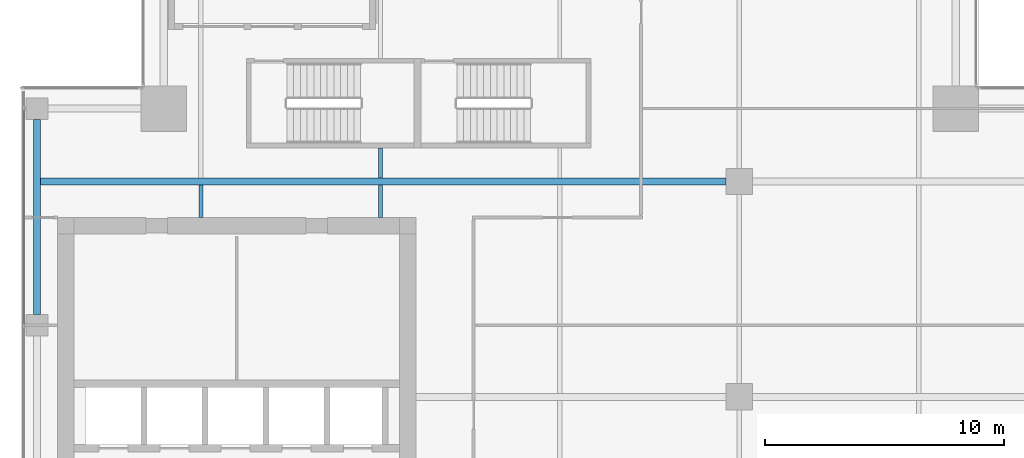
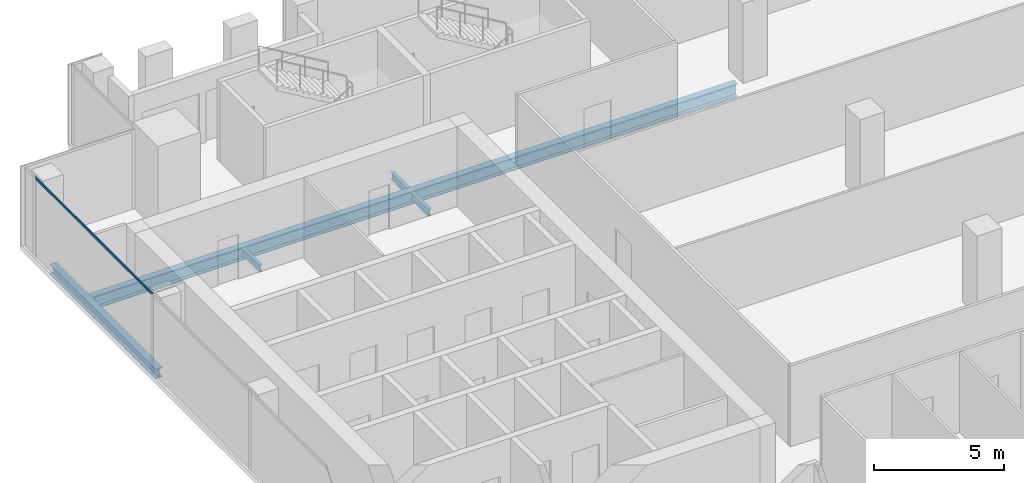
# One storey, part 14 of 34: 5 beams, 1 member, 1 element without a shape of its own.
"""IFC4 building model written with IfcOpenShell, lengths in metres."""

from ifc_helpers import new_model, si_unit, direction, frame, origin, origin_2d, place, context, subcontext, project, spatial, hollow_rectangle, i_section, extrude, source, transform, mapped, material, material_profile, profile_set, type_object, element, aggregate, save


model = new_model("IFC4")

# Units and contexts
model_context = context("Model", 3, precision=1e-05, world=origin(), true_north=direction((0.0, 1.0)))
body_context = subcontext(model_context, "Body", "Model", "MODEL_VIEW")
ifc_project = project(units=[si_unit("LENGTHUNIT", "METRE"), si_unit("AREAUNIT", "SQUARE_METRE"), si_unit("VOLUMEUNIT", "CUBIC_METRE"), si_unit("PLANEANGLEUNIT", "RADIAN"), si_unit("MASSUNIT", "GRAM", prefix="KILO")], contexts=[model_context])

# Site, building, storey
site_placement = place(None, origin())
site = spatial("IfcSite", under=ifc_project, at=site_placement, CompositionType="ELEMENT")
building_placement = place(site_placement, origin())
building = spatial("IfcBuilding", under=site, at=building_placement, Name="Khomas Fold Tower", CompositionType="ELEMENT")
storey_placement = place(building_placement, frame((0.0, 0.0, 254.199951171875)))
storey = spatial("IfcBuildingStorey", under=building, at=storey_placement, Name="L57", CompositionType="ELEMENT", Elevation=254.199951171875)

# Beams
ifc_material_1 = material(Name="Steel S355", Category="steel")
ifc_material_profile_1 = material_profile(ifc_material_1, i_section(OverallWidth=0.159912109375, OverallDepth=0.330078125, WebThickness=0.007568359375, FlangeThickness=0.011474609375, at=origin_2d()), Name="IPE 330")
ifc_profile_set_1 = profile_set([ifc_material_profile_1], Name="Steel S355")
beam_type_1 = type_object("IfcBeamType", Name="IPE 330 beam JB1", PredefinedType="BEAM", material=ifc_profile_set_1)
shared_shape_1 = source(origin(), body_context, "Body", "SweptSolid", [
    extrude(i_section(OverallWidth=0.159912109375, OverallDepth=0.330078125, WebThickness=0.007568359375, FlangeThickness=0.011474609375, at=origin_2d()), origin(), (0.0, 0.0, 1.0), 1.25),
])
beam_1_placement = place(storey_placement, frame((19.5, 40.64990234375, -0.4150390625), z_axis=(0.0, 1.0, 0.0), x_axis=(-1.0, 0.0, 0.0)))
element("IfcBeam", 1, at=beam_1_placement, inside=storey, type_object=beam_type_1, Name="JB1", PredefinedType="BEAM", context=body_context, shape_type="MappedRepresentation", body=[
    mapped(shared_shape_1, transform((0.0, 0.0, 0.0))),
])
shared_shape_2 = source(origin(), body_context, "Body", "SweptSolid", [
    extrude(i_section(OverallWidth=0.159912109375, OverallDepth=0.330078125, WebThickness=0.007568359375, FlangeThickness=0.011474609375, at=origin_2d()), origin(), (0.0, 0.0, 1.0), 1.35009765625),
])
for number, where, z_axis, x_axis, name in (
    (2, (12.0, 39.0, -0.4150390625), (0.0, 1.0, 0.0), (-1.0, 0.0, 0.0), "JB1"),
    (3, (19.5, 39.0, -0.4150390625), (0.0, 1.0, 0.0), (-1.0, 0.0, 0.0), "JB1"),
):
    element("IfcBeam", number, at=place(storey_placement, frame(where, z_axis=z_axis, x_axis=x_axis)), inside=storey, type_object=beam_type_1, Name=name, PredefinedType="BEAM", context=body_context, shape_type="MappedRepresentation", body=[
        mapped(shared_shape_2, transform((0.0, 0.0, 0.0))),
    ])
ifc_material_2 = material(Name="Steel S355", Category="steel")
ifc_material_profile_2 = material_profile(ifc_material_2, i_section(OverallWidth=0.300048828125, OverallDepth=0.449951171875, WebThickness=0.013916015625, FlangeThickness=0.02587890625, at=origin_2d()), Name="HE 450 B")
ifc_profile_set_2 = profile_set([ifc_material_profile_2], Name="Steel S355")
beam_type_2 = type_object("IfcBeamType", Name="HE 450 B spandrel SB4", PredefinedType="SPANDREL", material=ifc_profile_set_2)
shared_shape_3 = source(origin(), body_context, "Body", "SweptSolid", [
    extrude(i_section(OverallWidth=0.300048828125, OverallDepth=0.449951171875, WebThickness=0.013916015625, FlangeThickness=0.02587890625, at=origin_2d()), origin(), (0.0, 0.0, 1.0), 8.150146484375),
])
beam_2_placement = place(storey_placement, frame((5.14990234375, 34.949951171875, -0.474853515625), z_axis=(0.0, 1.0, 0.0), x_axis=(-1.0, 0.0, 0.0)))
element("IfcBeam", 4, at=beam_2_placement, inside=storey, type_object=beam_type_2, Name="SB4", PredefinedType="SPANDREL", context=body_context, shape_type="MappedRepresentation", body=[
    mapped(shared_shape_3, transform((0.0, 0.0, 0.0))),
])
ifc_material_3 = material(Name="Steel S355", Category="steel")
ifc_material_profile_3 = material_profile(ifc_material_3, i_section(OverallWidth=0.300048828125, OverallDepth=0.60009765625, WebThickness=0.015380859375, FlangeThickness=0.030029296875, at=origin_2d()), Name="HE 600 B")
ifc_profile_set_3 = profile_set([ifc_material_profile_3], Name="Steel S355")
beam_type_3 = type_object("IfcBeamType", Name="HE 600 B beam GB5", PredefinedType="BEAM", material=ifc_profile_set_3)
shared_shape_4 = source(origin(), body_context, "Body", "SweptSolid", [
    extrude(i_section(OverallWidth=0.300048828125, OverallDepth=0.60009765625, WebThickness=0.015380859375, FlangeThickness=0.030029296875, at=origin_2d()), origin(), (0.0, 0.0, 1.0), 28.64990234375),
])
beam_3_placement = place(storey_placement, frame((5.300048828125, 40.5, -0.550048828125), z_axis=(1.0, 0.0, 0.0), x_axis=(0.0, 1.0, 0.0)))
element("IfcBeam", 5, at=beam_3_placement, inside=storey, type_object=beam_type_3, Name="GB5", PredefinedType="BEAM", context=body_context, shape_type="MappedRepresentation", body=[
    mapped(shared_shape_4, transform((0.0, 0.0, 0.0))),
])

# Curtain wall, member
ifc_material_4 = material(Name="Aluminium framed double glazing", Category="aluminium")
curtain_wall_type = type_object("IfcCurtainWallType", Name="SK-Unitised clear-glass wall, office floors CW2", PredefinedType="NOTDEFINED", material=ifc_material_4)
curtain_wall_placement = place(storey_placement, origin())
curtain_wall = element("IfcCurtainWall", 6, at=curtain_wall_placement, inside=storey, type_object=curtain_wall_type, Name="CW2 run L57 09-0", PredefinedType="NOTDEFINED")
ifc_material_5 = material(Name="Aluminium", Category="aluminium")
ifc_material_profile_4 = material_profile(ifc_material_5, hollow_rectangle(XDim=0.050048828125, YDim=0.110107421875, WallThickness=0.00390625, at=origin_2d()), Name="SK-Unitised clear-glass wall, office floors transom CW2-T")
ifc_profile_set_4 = profile_set([ifc_material_profile_4], Name="Aluminium")
member_type = type_object("IfcMemberType", Name="SK-Unitised clear-glass wall, office floors transom CW2-T", PredefinedType="USERDEFINED", material=ifc_profile_set_4)
shared_shape_5 = source(origin(), body_context, "Body", "SweptSolid", [
    extrude(hollow_rectangle(XDim=0.050048828125, YDim=0.110107421875, WallThickness=0.00390625, at=origin_2d()), origin(), (0.0, 0.0, 1.0), 8.989990234375),
])
member_placement = place(storey_placement, frame((4.60009765625, 43.52001953125, 3.695068359375), z_axis=(0.0, -1.0, 0.0), x_axis=(1.0, 0.0, 0.0)))
member = element("IfcMember", 7, at=member_placement, type_object=member_type, Name="CW2 transom 2", ObjectType="TRANSOM", PredefinedType="USERDEFINED", context=body_context, shape_type="MappedRepresentation", body=[
    mapped(shared_shape_5, transform((0.0, 0.0, 0.0))),
])
aggregate(curtain_wall, [member])

save(model, "model.ifc")
